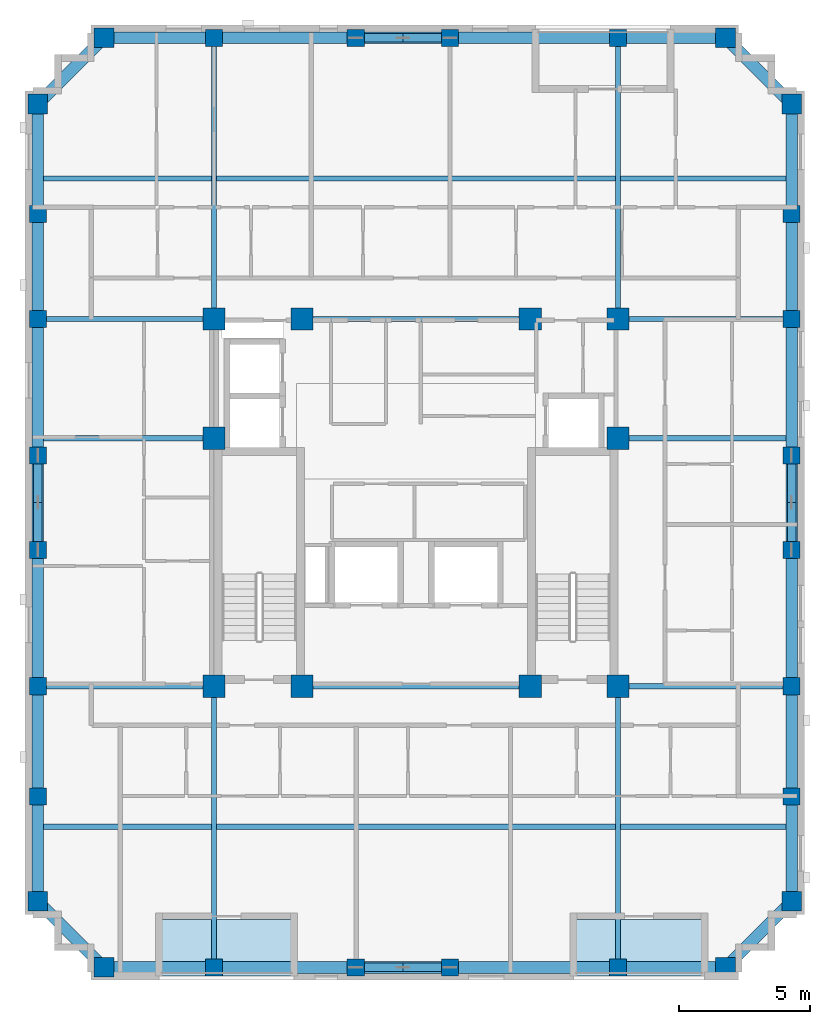
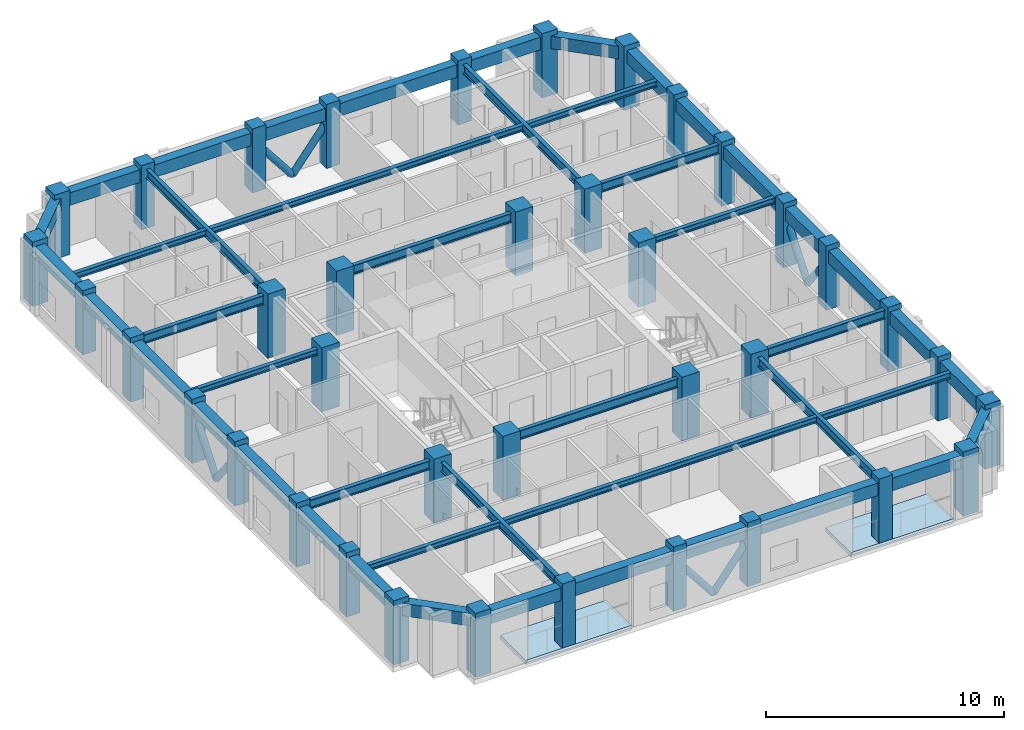
# One storey, part 1 of 11: 46 beams, 38 columns, 8 members, 2 slabs.
"""IFC4 building model written with IfcOpenShell, lengths in metres."""

from ifc_helpers import new_model, si_unit, derived_unit, direction, frame, origin, origin_2d, place, context, subcontext, project, spatial, polyline, rectangle, hollow_circle, i_section, outline, extrude, material, layer, layer_set, material_profile, profile_set, type_object, element, save


model = new_model("IFC4")

# Units and contexts
model_context = context("Model", 3, precision=1e-05, world=origin(), true_north=direction((0.0, 1.0)))
body_context = subcontext(model_context, "Body", "Model", "MODEL_VIEW")
ifc_project = project(units=[si_unit("LENGTHUNIT", "METRE"), si_unit("AREAUNIT", "SQUARE_METRE"), si_unit("VOLUMEUNIT", "CUBIC_METRE"), si_unit("PLANEANGLEUNIT", "RADIAN"), si_unit("MASSUNIT", "GRAM", prefix="KILO"), derived_unit("THERMALTRANSMITTANCEUNIT", [(si_unit("MASSUNIT", "GRAM", prefix="KILO"), 1), (si_unit("TIMEUNIT", "SECOND"), -3), (si_unit("THERMODYNAMICTEMPERATUREUNIT", "KELVIN"), -1)])], contexts=[model_context])

# Site, building, storey
site_placement = place(None, origin())
site = spatial("IfcSite", under=ifc_project, at=site_placement, CompositionType="ELEMENT")
building_placement = place(site_placement, origin())
building = spatial("IfcBuilding", under=site, at=building_placement, Name="Korrvale Station Residences", CompositionType="ELEMENT")
storey_placement = place(building_placement, frame((0.0, 0.0, 210.699951171875)))
storey = spatial("IfcBuildingStorey", under=building, at=storey_placement, Name="L61", CompositionType="ELEMENT", Elevation=210.699951171875)

# Columns
ifc_material_1 = material(Name="Concrete C50/60", Category="concrete")
ifc_material_profile_1 = material_profile(ifc_material_1, rectangle(XDim=0.64990234375, YDim=0.64990234375, at=origin_2d()), Name="RC650x650")
ifc_profile_set_1 = profile_set([ifc_material_profile_1], Name="Concrete C50/60")
column_type_1 = type_object("IfcColumnType", Name="COL-C-RC650x650-C5060", PredefinedType="COLUMN", material=ifc_profile_set_1)
for number, where, z_axis, x_axis, name in (
    (1, (17.800048828125, 4.280029296875, 0.0), (0.0, 0.0, 1.0), (1.0, 0.0, 0.0), "L61 Bundled-Tube South Column 02"),
    (2, (23.199951171875, 4.280029296875, 0.0), (0.0, 0.0, 1.0), (1.0, 0.0, 0.0), "L61 Bundled-Tube South Column 03"),
    (3, (26.800048828125, 4.280029296875, 0.0), (0.0, 0.0, 1.0), (1.0, 0.0, 0.0), "L61 Bundled-Tube South Column 04"),
    (4, (33.199951171875, 4.280029296875, 0.0), (0.0, 0.0, 1.0), (1.0, 0.0, 0.0), "L61 Bundled-Tube South Column 05"),
    (5, (17.800048828125, 39.719970703125, 0.0), (0.0, 0.0, 1.0), (1.0, 0.0, 0.0), "L61 Bundled-Tube North Column 08"),
    (6, (23.199951171875, 39.719970703125, 0.0), (0.0, 0.0, 1.0), (1.0, 0.0, 0.0), "L61 Bundled-Tube North Column 09"),
    (7, (26.800048828125, 39.719970703125, 0.0), (0.0, 0.0, 1.0), (1.0, 0.0, 0.0), "L61 Bundled-Tube North Column 10"),
    (8, (33.199951171875, 39.719970703125, 0.0), (0.0, 0.0, 1.0), (1.0, 0.0, 0.0), "L61 Bundled-Tube North Column 11"),
    (9, (11.080078125, 10.800048828125, 0.0), (0.0, 0.0, 1.0), (1.0, 0.0, 0.0), "L61 Bundled-Tube West Column 14"),
    (10, (11.080078125, 15.0, 0.0), (0.0, 0.0, 1.0), (1.0, 0.0, 0.0), "L61 Bundled-Tube West Column 15"),
    (11, (11.080078125, 20.199951171875, 0.0), (0.0, 0.0, 1.0), (1.0, 0.0, 0.0), "L61 Bundled-Tube West Column 16"),
    (12, (11.080078125, 23.800048828125, 0.0), (0.0, 0.0, 1.0), (1.0, 0.0, 0.0), "L61 Bundled-Tube West Column 17"),
    (13, (11.080078125, 29.0, 0.0), (0.0, 0.0, 1.0), (1.0, 0.0, 0.0), "L61 Bundled-Tube West Column 18"),
    (14, (11.080078125, 33.0, 0.0), (0.0, 0.0, 1.0), (1.0, 0.0, 0.0), "L61 Bundled-Tube West Column 19"),
    (15, (39.820068359375, 10.800048828125, 0.0), (0.0, 0.0, 1.0), (1.0, 0.0, 0.0), "L61 Bundled-Tube East Column 22"),
    (16, (39.820068359375, 15.0, 0.0), (0.0, 0.0, 1.0), (1.0, 0.0, 0.0), "L61 Bundled-Tube East Column 23"),
    (17, (39.820068359375, 20.199951171875, 0.0), (0.0, 0.0, 1.0), (1.0, 0.0, 0.0), "L61 Bundled-Tube East Column 24"),
    (18, (39.820068359375, 23.800048828125, 0.0), (0.0, 0.0, 1.0), (1.0, 0.0, 0.0), "L61 Bundled-Tube East Column 25"),
    (19, (39.820068359375, 29.0, 0.0), (0.0, 0.0, 1.0), (1.0, 0.0, 0.0), "L61 Bundled-Tube East Column 26"),
    (20, (39.820068359375, 33.0, 0.0), (0.0, 0.0, 1.0), (1.0, 0.0, 0.0), "L61 Bundled-Tube East Column 27"),
):
    element("IfcColumn", number, at=place(storey_placement, frame(where, z_axis=z_axis, x_axis=x_axis)), inside=storey, type_object=column_type_1, Name=name, PredefinedType="COLUMN", context=body_context, shape_type="SweptSolid", body=[
        extrude(rectangle(XDim=0.64990234375, YDim=0.64990234375, at=origin_2d()), origin(), (0.0, 0.0, 1.0), 3.300048828125),
    ])
ifc_material_profile_2 = material_profile(ifc_material_1, rectangle(XDim=0.75, YDim=0.75, at=origin_2d()), Name="RC750x750")
ifc_profile_set_2 = profile_set([ifc_material_profile_2], Name="Concrete C50/60")
column_type_2 = type_object("IfcColumnType", Name="COL-C-RC750x750-C5060", PredefinedType="COLUMN", material=ifc_profile_set_2)
for number, where, z_axis, x_axis, name in (
    (21, (13.60009765625, 4.280029296875, 0.0), (0.0, 0.0, 1.0), (1.0, 0.0, 0.0), "L61 Bundled-Tube South Column 01"),
    (22, (37.300048828125, 4.280029296875, 0.0), (0.0, 0.0, 1.0), (1.0, 0.0, 0.0), "L61 Bundled-Tube South Column 06"),
    (23, (13.60009765625, 39.719970703125, 0.0), (0.0, 0.0, 1.0), (1.0, 0.0, 0.0), "L61 Bundled-Tube North Column 07"),
    (24, (37.300048828125, 39.719970703125, 0.0), (0.0, 0.0, 1.0), (1.0, 0.0, 0.0), "L61 Bundled-Tube North Column 12"),
    (25, (11.080078125, 6.800048828125, 0.0), (0.0, 0.0, 1.0), (1.0, 0.0, 0.0), "L61 Bundled-Tube West Column 13"),
    (26, (11.080078125, 37.199951171875, 0.0), (0.0, 0.0, 1.0), (1.0, 0.0, 0.0), "L61 Bundled-Tube West Column 20"),
    (27, (39.820068359375, 6.800048828125, 0.0), (0.0, 0.0, 1.0), (1.0, 0.0, 0.0), "L61 Bundled-Tube East Column 21"),
    (28, (39.820068359375, 37.199951171875, 0.0), (0.0, 0.0, 1.0), (1.0, 0.0, 0.0), "L61 Bundled-Tube East Column 28"),
):
    element("IfcColumn", number, at=place(storey_placement, frame(where, z_axis=z_axis, x_axis=x_axis)), inside=storey, type_object=column_type_2, Name=name, PredefinedType="COLUMN", context=body_context, shape_type="SweptSolid", body=[
        extrude(rectangle(XDim=0.75, YDim=0.75, at=origin_2d()), origin(), (0.0, 0.0, 1.0), 3.300048828125),
    ])
ifc_material_profile_3 = material_profile(ifc_material_1, rectangle(XDim=0.85009765625, YDim=0.85009765625, at=origin_2d()), Name="RC850x850")
ifc_profile_set_3 = profile_set([ifc_material_profile_3], Name="Concrete C50/60")
column_type_3 = type_object("IfcColumnType", Name="COL-C-RC850x850-C5060", PredefinedType="COLUMN", material=ifc_profile_set_3)
for number, where, z_axis, x_axis, name in (
    (29, (17.800048828125, 15.0, 0.0), (0.0, 0.0, 1.0), (1.0, 0.0, 0.0), "L61 Core Column 01"),
    (30, (21.14990234375, 15.0, 0.0), (0.0, 0.0, 1.0), (1.0, 0.0, 0.0), "L61 Core Column 02"),
    (31, (29.85009765625, 15.0, 0.0), (0.0, 0.0, 1.0), (1.0, 0.0, 0.0), "L61 Core Column 03"),
    (32, (33.199951171875, 15.0, 0.0), (0.0, 0.0, 1.0), (1.0, 0.0, 0.0), "L61 Core Column 04"),
    (33, (17.800048828125, 29.0, 0.0), (0.0, 0.0, 1.0), (1.0, 0.0, 0.0), "L61 Core Column 05"),
    (34, (21.14990234375, 29.0, 0.0), (0.0, 0.0, 1.0), (1.0, 0.0, 0.0), "L61 Core Column 06"),
    (35, (29.85009765625, 29.0, 0.0), (0.0, 0.0, 1.0), (1.0, 0.0, 0.0), "L61 Core Column 07"),
    (36, (33.199951171875, 29.0, 0.0), (0.0, 0.0, 1.0), (1.0, 0.0, 0.0), "L61 Core Column 08"),
    (37, (17.800048828125, 24.449951171875, 0.0), (0.0, 0.0, 1.0), (1.0, 0.0, 0.0), "L61 Core Column 09"),
    (38, (33.199951171875, 24.449951171875, 0.0), (0.0, 0.0, 1.0), (1.0, 0.0, 0.0), "L61 Core Column 10"),
):
    element("IfcColumn", number, at=place(storey_placement, frame(where, z_axis=z_axis, x_axis=x_axis)), inside=storey, type_object=column_type_3, Name=name, PredefinedType="COLUMN", context=body_context, shape_type="SweptSolid", body=[
        extrude(rectangle(XDim=0.85009765625, YDim=0.85009765625, at=origin_2d()), origin(), (0.0, 0.0, 1.0), 3.300048828125),
    ])

# Beams
ifc_material_2 = material(Name="Steel S355", Category="steel")
ifc_material_profile_4 = material_profile(ifc_material_2, i_section(OverallWidth=0.194091796875, OverallDepth=0.468994140625, WebThickness=0.0126953125, FlangeThickness=0.0205078125, FilletRadius=0.01611328125, at=origin_2d()), Name="W460x106")
ifc_profile_set_4 = profile_set([ifc_material_profile_4], Name="Steel S355")
beam_type_1 = type_object("IfcBeamType", Name="BM-BM-W460x106-S355", PredefinedType="BEAM", material=ifc_profile_set_4)
for number, where, z_axis, x_axis, name in (
    (39, (17.800048828125, 4.280029296875, 2.8056640625), (0.0, 1.0, 0.0), (-1.0, 0.0, 0.0), "L61 Bundled-Tube Web Girder 01"),
    (40, (33.199951171875, 4.280029296875, 2.8056640625), (0.0, 1.0, 0.0), (-1.0, 0.0, 0.0), "L61 Bundled-Tube Web Girder 02"),
    (41, (17.800048828125, 29.0, 2.8056640625), (0.0, 1.0, 0.0), (-1.0, 0.0, 0.0), "L61 Bundled-Tube Web Girder 03"),
    (42, (33.199951171875, 29.0, 2.8056640625), (0.0, 1.0, 0.0), (-1.0, 0.0, 0.0), "L61 Bundled-Tube Web Girder 04"),
):
    element("IfcBeam", number, at=place(storey_placement, frame(where, z_axis=z_axis, x_axis=x_axis)), inside=storey, type_object=beam_type_1, Name=name, PredefinedType="BEAM", context=body_context, shape_type="SweptSolid", body=[
        extrude(i_section(OverallWidth=0.194091796875, OverallDepth=0.468994140625, WebThickness=0.0126953125, FlangeThickness=0.0205078125, FilletRadius=0.01611328125, at=origin_2d()), origin(), (0.0, 0.0, 1.0), 10.719970703125),
    ])
beam_1_placement = place(storey_placement, frame((11.080078125, 15.0, 2.8056640625), z_axis=(1.0, 0.0, 0.0), x_axis=(0.0, 1.0, 0.0)))
element("IfcBeam", 43, at=beam_1_placement, inside=storey, type_object=beam_type_1, Name="L61 Bundled-Tube Web Girder 05", PredefinedType="BEAM", context=body_context, shape_type="SweptSolid", body=[
    extrude(i_section(OverallWidth=0.194091796875, OverallDepth=0.468994140625, WebThickness=0.0126953125, FlangeThickness=0.0205078125, FilletRadius=0.01611328125, at=origin_2d()), origin(), (0.0, 0.0, 1.0), 6.719970703125),
])
beam_2_placement = place(storey_placement, frame((33.199951171875, 15.0, 2.8056640625), z_axis=(1.0, 0.0, 0.0), x_axis=(0.0, 1.0, 0.0)))
element("IfcBeam", 44, at=beam_2_placement, inside=storey, type_object=beam_type_1, Name="L61 Bundled-Tube Web Girder 06", PredefinedType="BEAM", context=body_context, shape_type="SweptSolid", body=[
    extrude(i_section(OverallWidth=0.194091796875, OverallDepth=0.468994140625, WebThickness=0.0126953125, FlangeThickness=0.0205078125, FilletRadius=0.01611328125, at=origin_2d()), origin(), (0.0, 0.0, 1.0), 6.6201171875),
])
beam_3_placement = place(storey_placement, frame((11.080078125, 29.0, 2.8056640625), z_axis=(1.0, 0.0, 0.0), x_axis=(0.0, 1.0, 0.0)))
element("IfcBeam", 45, at=beam_3_placement, inside=storey, type_object=beam_type_1, Name="L61 Bundled-Tube Web Girder 07", PredefinedType="BEAM", context=body_context, shape_type="SweptSolid", body=[
    extrude(i_section(OverallWidth=0.194091796875, OverallDepth=0.468994140625, WebThickness=0.0126953125, FlangeThickness=0.0205078125, FilletRadius=0.01611328125, at=origin_2d()), origin(), (0.0, 0.0, 1.0), 6.719970703125),
])
beam_4_placement = place(storey_placement, frame((33.199951171875, 29.0, 2.8056640625), z_axis=(1.0, 0.0, 0.0), x_axis=(0.0, 1.0, 0.0)))
element("IfcBeam", 46, at=beam_4_placement, inside=storey, type_object=beam_type_1, Name="L61 Bundled-Tube Web Girder 08", PredefinedType="BEAM", context=body_context, shape_type="SweptSolid", body=[
    extrude(i_section(OverallWidth=0.194091796875, OverallDepth=0.468994140625, WebThickness=0.0126953125, FlangeThickness=0.0205078125, FilletRadius=0.01611328125, at=origin_2d()), origin(), (0.0, 0.0, 1.0), 6.6201171875),
])
for number, where, z_axis, x_axis, name in (
    (47, (21.14990234375, 15.0, 2.8056640625), (1.0, 0.0, 0.0), (0.0, 1.0, 0.0), "L61 Bundled-Tube Web Girder 09"),
    (48, (21.14990234375, 29.0, 2.8056640625), (1.0, 0.0, 0.0), (0.0, 1.0, 0.0), "L61 Bundled-Tube Web Girder 10"),
):
    element("IfcBeam", number, at=place(storey_placement, frame(where, z_axis=z_axis, x_axis=x_axis)), inside=storey, type_object=beam_type_1, Name=name, PredefinedType="BEAM", context=body_context, shape_type="SweptSolid", body=[
        extrude(i_section(OverallWidth=0.194091796875, OverallDepth=0.468994140625, WebThickness=0.0126953125, FlangeThickness=0.0205078125, FilletRadius=0.01611328125, at=origin_2d()), origin(), (0.0, 0.0, 1.0), 8.7001953125),
    ])
ifc_material_profile_5 = material_profile(ifc_material_2, i_section(OverallWidth=0.202880859375, OverallDepth=0.302978515625, WebThickness=0.007568359375, FlangeThickness=0.01318359375, FilletRadius=0.014892578125, at=origin_2d()), Name="W310x60")
ifc_profile_set_5 = profile_set([ifc_material_profile_5], Name="Steel S355")
beam_type_2 = type_object("IfcBeamType", Name="BM-JST-W310x60-S355", PredefinedType="JOIST", material=ifc_profile_set_5)
beam_5_placement = place(storey_placement, frame((11.304931640625, 9.639892578125, 2.888427734375), z_axis=(1.0, 0.0, 0.0), x_axis=(0.0, 1.0, 0.0)))
element("IfcBeam", 49, at=beam_5_placement, inside=storey, type_object=beam_type_2, Name="L61 Floor Framing Joist 01", PredefinedType="JOIST", context=body_context, shape_type="SweptSolid", body=[
    extrude(i_section(OverallWidth=0.202880859375, OverallDepth=0.302978515625, WebThickness=0.007568359375, FlangeThickness=0.01318359375, FilletRadius=0.014892578125, at=origin_2d()), origin(), (0.0, 0.0, 1.0), 6.39794921875),
])
beam_6_placement = place(storey_placement, frame((17.89697265625, 9.639892578125, 2.888427734375), z_axis=(1.0, 0.0, 0.0), x_axis=(0.0, 1.0, 0.0)))
element("IfcBeam", 50, at=beam_6_placement, inside=storey, type_object=beam_type_2, Name="L61 Floor Framing Joist 02", PredefinedType="JOIST", context=body_context, shape_type="SweptSolid", body=[
    extrude(i_section(OverallWidth=0.202880859375, OverallDepth=0.302978515625, WebThickness=0.007568359375, FlangeThickness=0.01318359375, FilletRadius=0.014892578125, at=origin_2d()), origin(), (0.0, 0.0, 1.0), 15.2060546875),
])
beam_7_placement = place(storey_placement, frame((33.297119140625, 9.639892578125, 2.888427734375), z_axis=(1.0, 0.0, 0.0), x_axis=(0.0, 1.0, 0.0)))
element("IfcBeam", 51, at=beam_7_placement, inside=storey, type_object=beam_type_2, Name="L61 Floor Framing Joist 03", PredefinedType="JOIST", context=body_context, shape_type="SweptSolid", body=[
    extrude(i_section(OverallWidth=0.202880859375, OverallDepth=0.302978515625, WebThickness=0.007568359375, FlangeThickness=0.01318359375, FilletRadius=0.014892578125, at=origin_2d()), origin(), (0.0, 0.0, 1.0), 6.2978515625),
])
beam_8_placement = place(storey_placement, frame((11.304931640625, 34.360107421875, 2.888427734375), z_axis=(1.0, 0.0, 0.0), x_axis=(0.0, 1.0, 0.0)))
element("IfcBeam", 52, at=beam_8_placement, inside=storey, type_object=beam_type_2, Name="L61 Floor Framing Joist 04", PredefinedType="JOIST", context=body_context, shape_type="SweptSolid", body=[
    extrude(i_section(OverallWidth=0.202880859375, OverallDepth=0.302978515625, WebThickness=0.007568359375, FlangeThickness=0.01318359375, FilletRadius=0.014892578125, at=origin_2d()), origin(), (0.0, 0.0, 1.0), 6.39794921875),
])
beam_9_placement = place(storey_placement, frame((17.89697265625, 34.360107421875, 2.888427734375), z_axis=(1.0, 0.0, 0.0), x_axis=(0.0, 1.0, 0.0)))
element("IfcBeam", 53, at=beam_9_placement, inside=storey, type_object=beam_type_2, Name="L61 Floor Framing Joist 05", PredefinedType="JOIST", context=body_context, shape_type="SweptSolid", body=[
    extrude(i_section(OverallWidth=0.202880859375, OverallDepth=0.302978515625, WebThickness=0.007568359375, FlangeThickness=0.01318359375, FilletRadius=0.014892578125, at=origin_2d()), origin(), (0.0, 0.0, 1.0), 15.2060546875),
])
beam_10_placement = place(storey_placement, frame((33.297119140625, 34.360107421875, 2.888427734375), z_axis=(1.0, 0.0, 0.0), x_axis=(0.0, 1.0, 0.0)))
element("IfcBeam", 54, at=beam_10_placement, inside=storey, type_object=beam_type_2, Name="L61 Floor Framing Joist 06", PredefinedType="JOIST", context=body_context, shape_type="SweptSolid", body=[
    extrude(i_section(OverallWidth=0.202880859375, OverallDepth=0.302978515625, WebThickness=0.007568359375, FlangeThickness=0.01318359375, FilletRadius=0.014892578125, at=origin_2d()), origin(), (0.0, 0.0, 1.0), 6.2978515625),
])
beam_11_placement = place(storey_placement, frame((33.199951171875, 24.449951171875, 2.888427734375), z_axis=(1.0, 0.0, 0.0), x_axis=(0.0, 1.0, 0.0)))
element("IfcBeam", 55, at=beam_11_placement, inside=storey, type_object=beam_type_2, Name="L61 Floor Framing Joist 07", PredefinedType="JOIST", context=body_context, shape_type="SweptSolid", body=[
    extrude(i_section(OverallWidth=0.202880859375, OverallDepth=0.302978515625, WebThickness=0.007568359375, FlangeThickness=0.01318359375, FilletRadius=0.014892578125, at=origin_2d()), origin(), (0.0, 0.0, 1.0), 6.39501953125),
])
beam_12_placement = place(storey_placement, frame((11.304931640625, 24.449951171875, 2.888427734375), z_axis=(1.0, 0.0, 0.0), x_axis=(0.0, 1.0, 0.0)))
element("IfcBeam", 56, at=beam_12_placement, inside=storey, type_object=beam_type_2, Name="L61 Floor Framing Joist 08", PredefinedType="JOIST", context=body_context, shape_type="SweptSolid", body=[
    extrude(i_section(OverallWidth=0.202880859375, OverallDepth=0.302978515625, WebThickness=0.007568359375, FlangeThickness=0.01318359375, FilletRadius=0.014892578125, at=origin_2d()), origin(), (0.0, 0.0, 1.0), 6.4951171875),
])
ifc_material_profile_6 = material_profile(ifc_material_1, rectangle(XDim=0.449951171875, YDim=0.64990234375, at=origin_2d()), Name="RCB450x650")
ifc_profile_set_6 = profile_set([ifc_material_profile_6], Name="Concrete C50/60")
beam_type_3 = type_object("IfcBeamType", Name="BM-SPB-RCB450x650-C5060", PredefinedType="SPANDREL", material=ifc_profile_set_6)
beam_13_placement = place(storey_placement, frame((13.60009765625, 4.280029296875, 2.715087890625), z_axis=(1.0, 0.0, 0.0), x_axis=(0.0, 1.0, 0.0)))
element("IfcBeam", 57, at=beam_13_placement, inside=storey, type_object=beam_type_3, Name="L61 South Tube Spandrel 01", PredefinedType="SPANDREL", context=body_context, shape_type="SweptSolid", body=[
    extrude(rectangle(XDim=0.449951171875, YDim=0.64990234375, at=origin_2d()), origin(), (0.0, 0.0, 1.0), 4.199951171875),
])
beam_14_placement = place(storey_placement, frame((17.800048828125, 4.280029296875, 2.715087890625), z_axis=(1.0, 0.0, 0.0), x_axis=(0.0, 1.0, 0.0)))
element("IfcBeam", 58, at=beam_14_placement, inside=storey, type_object=beam_type_3, Name="L61 South Tube Spandrel 02", PredefinedType="SPANDREL", context=body_context, shape_type="SweptSolid", body=[
    extrude(rectangle(XDim=0.449951171875, YDim=0.64990234375, at=origin_2d()), origin(), (0.0, 0.0, 1.0), 5.39990234375),
])
beam_15_placement = place(storey_placement, frame((23.199951171875, 4.280029296875, 2.715087890625), z_axis=(1.0, 0.0, 0.0), x_axis=(0.0, 1.0, 0.0)))
element("IfcBeam", 59, at=beam_15_placement, inside=storey, type_object=beam_type_3, Name="L61 South Tube Spandrel 03", PredefinedType="SPANDREL", context=body_context, shape_type="SweptSolid", body=[
    extrude(rectangle(XDim=0.449951171875, YDim=0.64990234375, at=origin_2d()), origin(), (0.0, 0.0, 1.0), 3.60009765625),
])
beam_16_placement = place(storey_placement, frame((26.800048828125, 4.280029296875, 2.715087890625), z_axis=(1.0, 0.0, 0.0), x_axis=(0.0, 1.0, 0.0)))
element("IfcBeam", 60, at=beam_16_placement, inside=storey, type_object=beam_type_3, Name="L61 South Tube Spandrel 04", PredefinedType="SPANDREL", context=body_context, shape_type="SweptSolid", body=[
    extrude(rectangle(XDim=0.449951171875, YDim=0.64990234375, at=origin_2d()), origin(), (0.0, 0.0, 1.0), 6.39990234375),
])
beam_17_placement = place(storey_placement, frame((33.199951171875, 4.280029296875, 2.715087890625), z_axis=(1.0, 0.0, 0.0), x_axis=(0.0, 1.0, 0.0)))
element("IfcBeam", 61, at=beam_17_placement, inside=storey, type_object=beam_type_3, Name="L61 South Tube Spandrel 05", PredefinedType="SPANDREL", context=body_context, shape_type="SweptSolid", body=[
    extrude(rectangle(XDim=0.449951171875, YDim=0.64990234375, at=origin_2d()), origin(), (0.0, 0.0, 1.0), 4.10009765625),
])
beam_18_placement = place(storey_placement, frame((13.60009765625, 39.719970703125, 2.715087890625), z_axis=(1.0, 0.0, 0.0), x_axis=(0.0, 1.0, 0.0)))
element("IfcBeam", 62, at=beam_18_placement, inside=storey, type_object=beam_type_3, Name="L61 North Tube Spandrel 06", PredefinedType="SPANDREL", context=body_context, shape_type="SweptSolid", body=[
    extrude(rectangle(XDim=0.449951171875, YDim=0.64990234375, at=origin_2d()), origin(), (0.0, 0.0, 1.0), 4.199951171875),
])
beam_19_placement = place(storey_placement, frame((17.800048828125, 39.719970703125, 2.715087890625), z_axis=(1.0, 0.0, 0.0), x_axis=(0.0, 1.0, 0.0)))
element("IfcBeam", 63, at=beam_19_placement, inside=storey, type_object=beam_type_3, Name="L61 North Tube Spandrel 07", PredefinedType="SPANDREL", context=body_context, shape_type="SweptSolid", body=[
    extrude(rectangle(XDim=0.449951171875, YDim=0.64990234375, at=origin_2d()), origin(), (0.0, 0.0, 1.0), 5.39990234375),
])
beam_20_placement = place(storey_placement, frame((23.199951171875, 39.719970703125, 2.715087890625), z_axis=(1.0, 0.0, 0.0), x_axis=(0.0, 1.0, 0.0)))
element("IfcBeam", 64, at=beam_20_placement, inside=storey, type_object=beam_type_3, Name="L61 North Tube Spandrel 08", PredefinedType="SPANDREL", context=body_context, shape_type="SweptSolid", body=[
    extrude(rectangle(XDim=0.449951171875, YDim=0.64990234375, at=origin_2d()), origin(), (0.0, 0.0, 1.0), 3.60009765625),
])
beam_21_placement = place(storey_placement, frame((26.800048828125, 39.719970703125, 2.715087890625), z_axis=(1.0, 0.0, 0.0), x_axis=(0.0, 1.0, 0.0)))
element("IfcBeam", 65, at=beam_21_placement, inside=storey, type_object=beam_type_3, Name="L61 North Tube Spandrel 09", PredefinedType="SPANDREL", context=body_context, shape_type="SweptSolid", body=[
    extrude(rectangle(XDim=0.449951171875, YDim=0.64990234375, at=origin_2d()), origin(), (0.0, 0.0, 1.0), 6.39990234375),
])
beam_22_placement = place(storey_placement, frame((33.199951171875, 39.719970703125, 2.715087890625), z_axis=(1.0, 0.0, 0.0), x_axis=(0.0, 1.0, 0.0)))
element("IfcBeam", 66, at=beam_22_placement, inside=storey, type_object=beam_type_3, Name="L61 North Tube Spandrel 10", PredefinedType="SPANDREL", context=body_context, shape_type="SweptSolid", body=[
    extrude(rectangle(XDim=0.449951171875, YDim=0.64990234375, at=origin_2d()), origin(), (0.0, 0.0, 1.0), 4.10009765625),
])
beam_23_placement = place(storey_placement, frame((11.080078125, 6.800048828125, 2.715087890625), z_axis=(0.0, 1.0, 0.0), x_axis=(-1.0, 0.0, 0.0)))
element("IfcBeam", 67, at=beam_23_placement, inside=storey, type_object=beam_type_3, Name="L61 West Tube Spandrel 11", PredefinedType="SPANDREL", context=body_context, shape_type="SweptSolid", body=[
    extrude(rectangle(XDim=0.449951171875, YDim=0.64990234375, at=origin_2d()), origin(), (0.0, 0.0, 1.0), 4.0),
])
beam_24_placement = place(storey_placement, frame((11.080078125, 10.800048828125, 2.715087890625), z_axis=(0.0, 1.0, 0.0), x_axis=(-1.0, 0.0, 0.0)))
element("IfcBeam", 68, at=beam_24_placement, inside=storey, type_object=beam_type_3, Name="L61 West Tube Spandrel 12", PredefinedType="SPANDREL", context=body_context, shape_type="SweptSolid", body=[
    extrude(rectangle(XDim=0.449951171875, YDim=0.64990234375, at=origin_2d()), origin(), (0.0, 0.0, 1.0), 4.199951171875),
])
beam_25_placement = place(storey_placement, frame((11.080078125, 15.0, 2.715087890625), z_axis=(0.0, 1.0, 0.0), x_axis=(-1.0, 0.0, 0.0)))
element("IfcBeam", 69, at=beam_25_placement, inside=storey, type_object=beam_type_3, Name="L61 West Tube Spandrel 13", PredefinedType="SPANDREL", context=body_context, shape_type="SweptSolid", body=[
    extrude(rectangle(XDim=0.449951171875, YDim=0.64990234375, at=origin_2d()), origin(), (0.0, 0.0, 1.0), 5.199951171875),
])
beam_26_placement = place(storey_placement, frame((11.080078125, 20.199951171875, 2.715087890625), z_axis=(0.0, 1.0, 0.0), x_axis=(-1.0, 0.0, 0.0)))
element("IfcBeam", 70, at=beam_26_placement, inside=storey, type_object=beam_type_3, Name="L61 West Tube Spandrel 14", PredefinedType="SPANDREL", context=body_context, shape_type="SweptSolid", body=[
    extrude(rectangle(XDim=0.449951171875, YDim=0.64990234375, at=origin_2d()), origin(), (0.0, 0.0, 1.0), 3.60009765625),
])
beam_27_placement = place(storey_placement, frame((11.080078125, 23.800048828125, 2.715087890625), z_axis=(0.0, 1.0, 0.0), x_axis=(-1.0, 0.0, 0.0)))
element("IfcBeam", 71, at=beam_27_placement, inside=storey, type_object=beam_type_3, Name="L61 West Tube Spandrel 15", PredefinedType="SPANDREL", context=body_context, shape_type="SweptSolid", body=[
    extrude(rectangle(XDim=0.449951171875, YDim=0.64990234375, at=origin_2d()), origin(), (0.0, 0.0, 1.0), 5.199951171875),
])
beam_28_placement = place(storey_placement, frame((11.080078125, 29.0, 2.715087890625), z_axis=(0.0, 1.0, 0.0), x_axis=(-1.0, 0.0, 0.0)))
element("IfcBeam", 72, at=beam_28_placement, inside=storey, type_object=beam_type_3, Name="L61 West Tube Spandrel 16", PredefinedType="SPANDREL", context=body_context, shape_type="SweptSolid", body=[
    extrude(rectangle(XDim=0.449951171875, YDim=0.64990234375, at=origin_2d()), origin(), (0.0, 0.0, 1.0), 4.0),
])
beam_29_placement = place(storey_placement, frame((11.080078125, 33.0, 2.715087890625), z_axis=(0.0, 1.0, 0.0), x_axis=(-1.0, 0.0, 0.0)))
element("IfcBeam", 73, at=beam_29_placement, inside=storey, type_object=beam_type_3, Name="L61 West Tube Spandrel 17", PredefinedType="SPANDREL", context=body_context, shape_type="SweptSolid", body=[
    extrude(rectangle(XDim=0.449951171875, YDim=0.64990234375, at=origin_2d()), origin(), (0.0, 0.0, 1.0), 4.199951171875),
])
beam_30_placement = place(storey_placement, frame((39.820068359375, 6.800048828125, 2.715087890625), z_axis=(0.0, 1.0, 0.0), x_axis=(-1.0, 0.0, 0.0)))
element("IfcBeam", 74, at=beam_30_placement, inside=storey, type_object=beam_type_3, Name="L61 East Tube Spandrel 18", PredefinedType="SPANDREL", context=body_context, shape_type="SweptSolid", body=[
    extrude(rectangle(XDim=0.449951171875, YDim=0.64990234375, at=origin_2d()), origin(), (0.0, 0.0, 1.0), 4.0),
])
beam_31_placement = place(storey_placement, frame((39.820068359375, 10.800048828125, 2.715087890625), z_axis=(0.0, 1.0, 0.0), x_axis=(-1.0, 0.0, 0.0)))
element("IfcBeam", 75, at=beam_31_placement, inside=storey, type_object=beam_type_3, Name="L61 East Tube Spandrel 19", PredefinedType="SPANDREL", context=body_context, shape_type="SweptSolid", body=[
    extrude(rectangle(XDim=0.449951171875, YDim=0.64990234375, at=origin_2d()), origin(), (0.0, 0.0, 1.0), 4.199951171875),
])
beam_32_placement = place(storey_placement, frame((39.820068359375, 15.0, 2.715087890625), z_axis=(0.0, 1.0, 0.0), x_axis=(-1.0, 0.0, 0.0)))
element("IfcBeam", 76, at=beam_32_placement, inside=storey, type_object=beam_type_3, Name="L61 East Tube Spandrel 20", PredefinedType="SPANDREL", context=body_context, shape_type="SweptSolid", body=[
    extrude(rectangle(XDim=0.449951171875, YDim=0.64990234375, at=origin_2d()), origin(), (0.0, 0.0, 1.0), 5.199951171875),
])
beam_33_placement = place(storey_placement, frame((39.820068359375, 20.199951171875, 2.715087890625), z_axis=(0.0, 1.0, 0.0), x_axis=(-1.0, 0.0, 0.0)))
element("IfcBeam", 77, at=beam_33_placement, inside=storey, type_object=beam_type_3, Name="L61 East Tube Spandrel 21", PredefinedType="SPANDREL", context=body_context, shape_type="SweptSolid", body=[
    extrude(rectangle(XDim=0.449951171875, YDim=0.64990234375, at=origin_2d()), origin(), (0.0, 0.0, 1.0), 3.60009765625),
])
beam_34_placement = place(storey_placement, frame((39.820068359375, 23.800048828125, 2.715087890625), z_axis=(0.0, 1.0, 0.0), x_axis=(-1.0, 0.0, 0.0)))
element("IfcBeam", 78, at=beam_34_placement, inside=storey, type_object=beam_type_3, Name="L61 East Tube Spandrel 22", PredefinedType="SPANDREL", context=body_context, shape_type="SweptSolid", body=[
    extrude(rectangle(XDim=0.449951171875, YDim=0.64990234375, at=origin_2d()), origin(), (0.0, 0.0, 1.0), 5.199951171875),
])
beam_35_placement = place(storey_placement, frame((39.820068359375, 29.0, 2.715087890625), z_axis=(0.0, 1.0, 0.0), x_axis=(-1.0, 0.0, 0.0)))
element("IfcBeam", 79, at=beam_35_placement, inside=storey, type_object=beam_type_3, Name="L61 East Tube Spandrel 23", PredefinedType="SPANDREL", context=body_context, shape_type="SweptSolid", body=[
    extrude(rectangle(XDim=0.449951171875, YDim=0.64990234375, at=origin_2d()), origin(), (0.0, 0.0, 1.0), 4.0),
])
beam_36_placement = place(storey_placement, frame((39.820068359375, 33.0, 2.715087890625), z_axis=(0.0, 1.0, 0.0), x_axis=(-1.0, 0.0, 0.0)))
element("IfcBeam", 80, at=beam_36_placement, inside=storey, type_object=beam_type_3, Name="L61 East Tube Spandrel 24", PredefinedType="SPANDREL", context=body_context, shape_type="SweptSolid", body=[
    extrude(rectangle(XDim=0.449951171875, YDim=0.64990234375, at=origin_2d()), origin(), (0.0, 0.0, 1.0), 4.199951171875),
])
for number, where, z_axis, x_axis, name in (
    (81, (13.60009765625, 4.280029296875, 2.715087890625), (-0.707106781187, 0.707106781187, 0.0), (-0.707106781187, -0.707106781187, 0.0), "L61 Serrated Corner Spandrel 25"),
    (82, (37.300048828125, 4.280029296875, 2.715087890625), (0.707106781187, 0.707106781187, 0.0), (-0.707106781187, 0.707106781187, 0.0), "L61 Serrated Corner Spandrel 26"),
    (83, (37.300048828125, 39.719970703125, 2.715087890625), (0.707106781187, -0.707106781187, 0.0), (0.707106781187, 0.707106781187, 0.0), "L61 Serrated Corner Spandrel 27"),
    (84, (13.60009765625, 39.719970703125, 2.715087890625), (-0.707106781187, -0.707106781187, 0.0), (0.707106781187, -0.707106781187, 0.0), "L61 Serrated Corner Spandrel 28"),
):
    element("IfcBeam", number, at=place(storey_placement, frame(where, z_axis=z_axis, x_axis=x_axis)), inside=storey, type_object=beam_type_3, Name=name, PredefinedType="SPANDREL", context=body_context, shape_type="SweptSolid", body=[
        extrude(rectangle(XDim=0.449951171875, YDim=0.64990234375, at=origin_2d()), origin(), (0.0, 0.0, 1.0), 3.56396484375),
    ])

# Members
ifc_material_profile_7 = material_profile(ifc_material_2, hollow_circle(Radius=0.161865234375, WallThickness=0.015869140625, at=origin_2d()), Name="HSS324x16")
ifc_profile_set_7 = profile_set([ifc_material_profile_7], Name="Steel S355")
member_type = type_object("IfcMemberType", Name="MBR-BR-HSS324x16", PredefinedType="BRACE", material=ifc_profile_set_7)
for number, where, z_axis, x_axis, name in (
    (85, (25.0, 4.280029296875, 0.02001953125), (-0.617977009695, 0.0, 0.786196168579), (0.0, -1.0, 0.0), "L61 S Perimeter Tube Wind Brace 1"),
    (86, (25.0, 4.280029296875, 0.02001953125), (0.617977009695, 0.0, 0.786196168579), (0.0, 1.0, 0.0), "L61 S Perimeter Tube Wind Brace 2"),
    (87, (25.0, 39.719970703125, 0.02001953125), (-0.617977009695, 0.0, 0.786196168579), (0.0, -1.0, 0.0), "L61 N Perimeter Tube Wind Brace 1"),
    (88, (25.0, 39.719970703125, 0.02001953125), (0.617977009695, 0.0, 0.786196168579), (0.0, 1.0, 0.0), "L61 N Perimeter Tube Wind Brace 2"),
    (89, (11.080078125, 22.0, 0.02001953125), (0.0, -0.617977009695, 0.786196168579), (1.0, 0.0, 0.0), "L61 W Perimeter Tube Wind Brace 1"),
    (90, (11.080078125, 22.0, 0.02001953125), (0.0, 0.617977009695, 0.786196168579), (-1.0, 0.0, 0.0), "L61 W Perimeter Tube Wind Brace 2"),
    (91, (39.820068359375, 22.0, 0.02001953125), (0.0, -0.617977009695, 0.786196168579), (1.0, 0.0, 0.0), "L61 E Perimeter Tube Wind Brace 1"),
    (92, (39.820068359375, 22.0, 0.02001953125), (0.0, 0.617977009695, 0.786196168579), (-1.0, 0.0, 0.0), "L61 E Perimeter Tube Wind Brace 2"),
):
    element("IfcMember", number, at=place(storey_placement, frame(where, z_axis=z_axis, x_axis=x_axis)), inside=storey, type_object=member_type, Name=name, PredefinedType="BRACE", context=body_context, shape_type="SweptSolid", body=[
        extrude(hollow_circle(Radius=0.161865234375, WallThickness=0.015869140625, at=origin_2d()), origin(), (0.0, 0.0, 1.0), 2.912841796875),
    ])

# Slabs
ifc_layer = layer(ifc_material_1, 0.219970703125, Name="Concrete C50/60")
ifc_layer_set = layer_set([ifc_layer], Name="Concrete C50/60")
slab_type = type_object("IfcSlabType", Name="SLB-BAL-220", PredefinedType="FLOOR", material=ifc_layer_set)
slab_1_placement = place(storey_placement, frame((0.0, 0.0, -0.219970703125)))
element("IfcSlab", 93, at=slab_1_placement, inside=storey, type_object=slab_type, Name="L61 Recessed Loggia Balcony Slab BAL-L61-S1", PredefinedType="FLOOR", context=body_context, shape_type="SweptSolid", body=[
    extrude(outline(polyline([(15.699951171875, 3.949951171875), (20.85009765625, 3.949951171875), (20.85009765625, 6.10009765625), (15.699951171875, 6.10009765625), (15.699951171875, 3.949951171875)])), origin(), (0.0, 0.0, 1.0), 0.219970703125),
])
slab_2_placement = place(storey_placement, frame((0.0, 0.0, -0.219970703125)))
element("IfcSlab", 94, at=slab_2_placement, inside=storey, type_object=slab_type, Name="L61 Recessed Loggia Balcony Slab BAL-L61-S2", PredefinedType="FLOOR", context=body_context, shape_type="SweptSolid", body=[
    extrude(outline(polyline([(31.5, 3.949951171875), (36.5, 3.949951171875), (36.5, 6.10009765625), (31.5, 6.10009765625), (31.5, 3.949951171875)])), origin(), (0.0, 0.0, 1.0), 0.219970703125),
])

save(model, "model.ifc")
